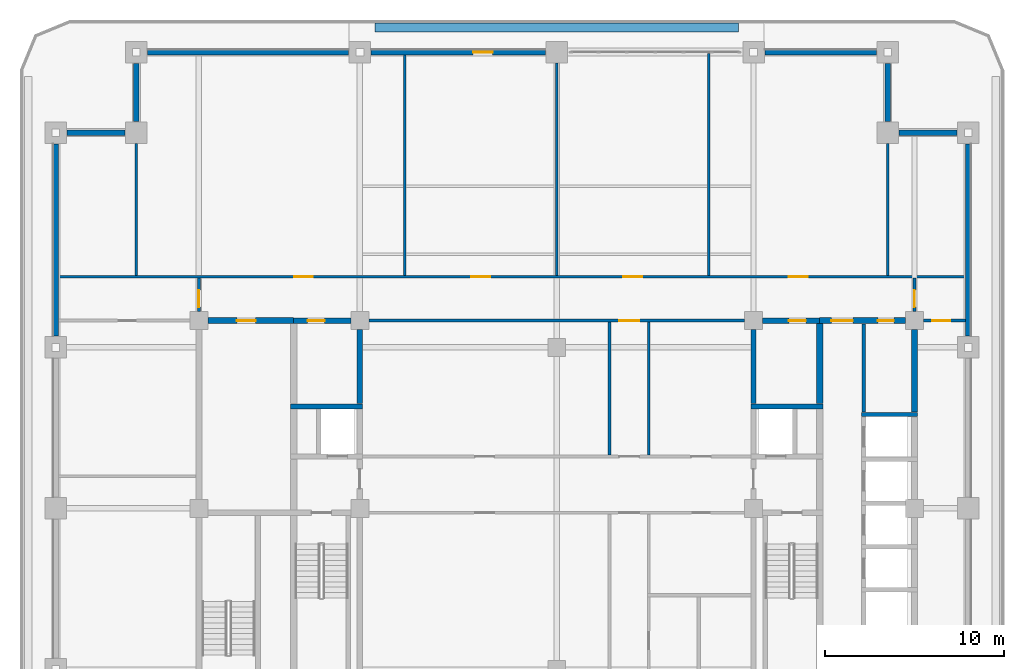
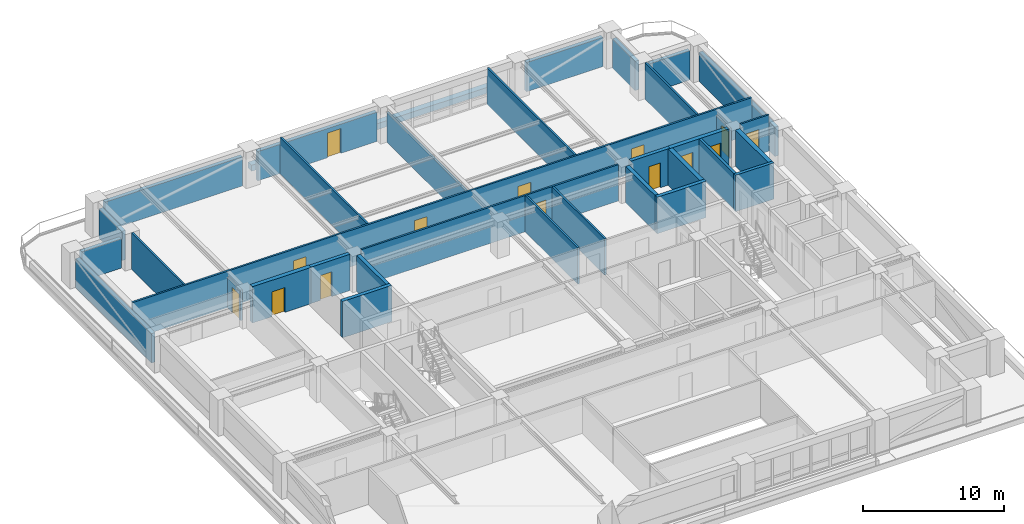
# One storey, part 10 of 17: 34 walls, 14 doors, 14 openings.
"""IFC4 building model written with IfcOpenShell, lengths in metres."""

import ifcopenshell
import ifcopenshell.guid

model = None  # the IFC model being written
_history = None  # IfcOwnerHistory: only IFC2X3 demands one
_inside = {}  # id of a spatial element -> (the spatial element, [elements in it])
_under = {}  # id of a project, library or spatial element -> (it, [spatial elements below it])
_declared = {}  # id of a project -> (the project, [libraries it declares])
_typed = {}  # id of a type object -> (the type object, [elements of that type])
_made_of = {}  # id of a material, layer set ... -> (it, [elements and type objects made of it])


def new_model(schema):
    """Start an empty IFC model of exactly this schema.

    Asked for "IFC4X3", IfcOpenShell would pick the latest addendum, in which some entities
    have other attributes; the version numbers below select the first issue.
    IFC2X3 requires an IfcOwnerHistory on every rooted entity: one is made here for all.
    """
    global model, _history
    if schema == "IFC4X3":
        model = ifcopenshell.file(schema_version=(4, 3, 0, 0))
    else:
        model = ifcopenshell.file(schema=schema)
    _inside.clear()
    _under.clear()
    _declared.clear()
    _typed.clear()
    _made_of.clear()
    _history = None
    if model.schema == "IFC2X3":
        org = make("IfcOrganization", Name="unknown")
        user = make(
            "IfcPersonAndOrganization",
            ThePerson=make("IfcPerson", FamilyName="unknown"),
            TheOrganization=org,
        )
        app = make(
            "IfcApplication",
            ApplicationDeveloper=org,
            Version="unknown",
            ApplicationFullName="unknown",
            ApplicationIdentifier="unknown",
        )
        _history = make(
            "IfcOwnerHistory",
            OwningUser=user,
            OwningApplication=app,
            ChangeAction="ADDED",
            CreationDate=0,
        )
    return model


def make(cls, **values):
    """One entity of the class cls with the attributes given. An attribute that is None is left unset."""
    return model.create_entity(
        cls, **{name: value for name, value in values.items() if value is not None}
    )


def rooted(cls, **values):
    """An entity with a GlobalId (a new one), such as an element, a storey or a relation."""
    return make(cls, GlobalId=ifcopenshell.guid.new(), OwnerHistory=_history, **values)


def si_unit(unit_type, name, prefix=None):
    """IfcSIUnit, for example si_unit("LENGTHUNIT", "METRE", prefix="MILLI")."""
    return make("IfcSIUnit", UnitType=unit_type, Prefix=prefix, Name=name)


def assignment(units):
    """IfcUnitAssignment: the units of a project."""
    return None if units is None else make("IfcUnitAssignment", Units=units)


def point(xyz):
    """IfcCartesianPoint."""
    return None if xyz is None else make("IfcCartesianPoint", Coordinates=xyz)


def direction(xyz):
    """IfcDirection."""
    return None if xyz is None else make("IfcDirection", DirectionRatios=xyz)


def frame(location, z_axis=None, x_axis=None):
    """IfcAxis2Placement3D, a coordinate frame: its origin and axes. An axis left out is left unset."""
    return make(
        "IfcAxis2Placement3D",
        Location=point(location),
        Axis=direction(z_axis),
        RefDirection=direction(x_axis),
    )


def frame_2d(location, x_axis=None):
    """IfcAxis2Placement2D, a coordinate frame in the plane: its origin and x axis."""
    return make(
        "IfcAxis2Placement2D", Location=point(location), RefDirection=direction(x_axis)
    )


def origin():
    """The frame at (0, 0, 0) with its axes left unset."""
    return frame((0.0, 0.0, 0.0))


def place(relative_to, where):
    """IfcLocalPlacement: puts the frame where relative to a parent placement (None: the world)."""
    return make(
        "IfcLocalPlacement", PlacementRelTo=relative_to, RelativePlacement=where
    )


def context(
    kind, dimensions, precision=None, world=None, true_north=None, identifier=None
):
    """IfcGeometricRepresentationContext, for example the 3D "Model" context."""
    return make(
        "IfcGeometricRepresentationContext",
        ContextIdentifier=identifier,
        ContextType=kind,
        CoordinateSpaceDimension=dimensions,
        Precision=precision,
        WorldCoordinateSystem=world,
        TrueNorth=true_north,
    )


def subcontext(parent, identifier, kind, view, scale=None):
    """IfcGeometricRepresentationSubContext, for example "Body" below "Model"."""
    return make(
        "IfcGeometricRepresentationSubContext",
        ContextIdentifier=identifier,
        ContextType=kind,
        ParentContext=parent,
        TargetScale=scale,
        TargetView=view,
    )


def project(units=None, contexts=None):
    """IfcProject with its units and contexts."""
    return rooted(
        "IfcProject",
        Name="project",
        RepresentationContexts=contexts,
        UnitsInContext=assignment(units),
    )


def spatial(cls, under=None, at=None, **own):
    """A site, building, storey or space (cls), placed at a placement, below another one or the project."""
    s = rooted(cls, ObjectPlacement=at, **own)
    if under is not None:
        _under.setdefault(under.id(), (under, []))[1].append(s)
    return s


def profile(cls, at=None, kind="AREA", **sizes):
    """A parametric profile (cls). Its sizes go by their IFC names, for example OverallWidth=200.0."""
    return make(cls, ProfileType=kind, Position=at, **sizes)


def rectangle(**sizes):
    """IfcRectangleProfileDef."""
    return profile("IfcRectangleProfileDef", **sizes)


def extrude(swept, where, along, depth):
    """IfcExtrudedAreaSolid: the profile swept, set in the frame where, extruded along a direction by depth."""
    return make(
        "IfcExtrudedAreaSolid",
        SweptArea=swept,
        Position=where,
        ExtrudedDirection=direction(along),
        Depth=depth,
    )


def shape(context_of_items, identifier, shape_type, items):
    """IfcShapeRepresentation: the items that make up one representation, for example the "Body"."""
    return make(
        "IfcShapeRepresentation",
        ContextOfItems=context_of_items,
        RepresentationIdentifier=identifier,
        RepresentationType=shape_type,
        Items=items,
    )


def material(Name=None, Category=None):
    """IfcMaterial."""
    return make("IfcMaterial", Name=Name, Category=Category)


def layer(
    of_material, thickness, ventilated=None, Name=None, Category=None, Priority=None
):
    """IfcMaterialLayer: one layer of a wall or slab, of a material (None: an air gap)."""
    return make(
        "IfcMaterialLayer",
        Material=of_material,
        LayerThickness=thickness,
        IsVentilated=ventilated,
        Name=Name,
        Category=Category,
        Priority=Priority,
    )


def layer_set(layers, Name=None):
    """IfcMaterialLayerSet."""
    return make("IfcMaterialLayerSet", MaterialLayers=layers, LayerSetName=Name)


def made_of(thing, what):
    """Note that an element or type object is made of a material, layer set ...; save() writes the relation."""
    if what is not None:
        _made_of.setdefault(what.id(), (what, []))[1].append(thing)
    return thing


def type_object(cls, material=None, **own):
    """A type object (cls), such as IfcWallType, which elements share."""
    return made_of(rooted(cls, **own), material)


def element(
    cls,
    number,
    at=None,
    inside=None,
    cuts=None,
    type_object=None,
    material=None,
    context=None,
    identifier="Body",
    shape_type=None,
    held_by="IfcProductDefinitionShape",
    body=None,
    shapes=None,
    **own,
):
    """One element of the class cls, such as IfcWall. Its Tag is "e" and its number.

    at: its placement. inside: the storey or other place that contains it. cuts: it is an
    opening in that element (IfcRelVoidsElement). A single representation is given by context,
    identifier, shape_type and body (its items); several are given by shapes. held_by: the class
    of the entity that holds the representations. save() writes the other relations.
    """
    e = rooted(cls, Tag="e%d" % number, ObjectPlacement=at, **own)
    if body is not None:
        shapes = [shape(context, identifier, shape_type, body)]
    if shapes is not None:
        e.Representation = make(held_by, Representations=shapes)
    if inside is not None:
        _inside.setdefault(inside.id(), (inside, []))[1].append(e)
    if cuts is not None:
        rooted(
            "IfcRelVoidsElement", RelatingBuildingElement=cuts, RelatedOpeningElement=e
        )
    if type_object is not None:
        _typed.setdefault(type_object.id(), (type_object, []))[1].append(e)
    return made_of(e, material)


def fill(opening, filler):
    """IfcRelFillsElement: the door or window that sits in an opening."""
    return rooted(
        "IfcRelFillsElement",
        RelatingOpeningElement=opening,
        RelatedBuildingElement=filler,
    )


def aggregate(whole, parts):
    """IfcRelAggregates: a whole, such as a stair, and the parts it consists of."""
    return rooted("IfcRelAggregates", RelatingObject=whole, RelatedObjects=parts)


def save(model, path):
    """Write the relations noted so far, then the file.

    IfcRelAggregates (storeys below a building ...), IfcRelContainedInSpatialStructure (elements
    in a storey), IfcRelDefinesByType, IfcRelAssociatesMaterial and IfcRelDeclares: one each for
    every whole, place, type object, material and project.
    """
    for whole, parts in _under.values():
        aggregate(whole, parts)
    for where, things in _inside.values():
        rooted(
            "IfcRelContainedInSpatialStructure",
            RelatedElements=things,
            RelatingStructure=where,
        )
    for kind, things in _typed.values():
        rooted("IfcRelDefinesByType", RelatedObjects=things, RelatingType=kind)
    for what, things in _made_of.values():
        rooted("IfcRelAssociatesMaterial", RelatedObjects=things, RelatingMaterial=what)
    for by, libraries in _declared.values():
        rooted("IfcRelDeclares", RelatingContext=by, RelatedDefinitions=libraries)
    model.write(path)


model = new_model("IFC4")

# Units and contexts
model_context = context("Model", 3, precision=1e-05, world=origin(), true_north=direction((0.0, 1.0)))
body_context = subcontext(model_context, "Body", "Model", "MODEL_VIEW")
ifc_project = project(units=[si_unit("LENGTHUNIT", "METRE"), si_unit("AREAUNIT", "SQUARE_METRE"), si_unit("VOLUMEUNIT", "CUBIC_METRE"), si_unit("PLANEANGLEUNIT", "RADIAN"), si_unit("MASSUNIT", "GRAM", prefix="KILO")], contexts=[model_context])

# Site, building, storey
site_placement = place(None, origin())
site = spatial("IfcSite", under=ifc_project, at=site_placement, CompositionType="ELEMENT")
building_placement = place(site_placement, origin())
building = spatial("IfcBuilding", under=site, at=building_placement, Name="Zulmaris Gate Convention Tower", CompositionType="ELEMENT")
storey_placement = place(building_placement, frame((0.0, 0.0, 149.909912109375)))
storey = spatial("IfcBuildingStorey", under=building, at=storey_placement, Name="L38", CompositionType="ELEMENT", Elevation=149.909912109375)

# Walls
ifc_material_1 = material(Name="Concrete C50/60", Category="concrete")
ifc_layer_1 = layer(ifc_material_1, 0.25, Name="Concrete C50/60")
ifc_layer_set_1 = layer_set([ifc_layer_1], Name="Concrete C50/60")
wall_type_1 = type_object("IfcWallType", Name="CORE-250", PredefinedType="SOLIDWALL", material=ifc_layer_set_1)
wall_1_placement = place(storey_placement, frame((17.02490234375, 5.25, 0.0), z_axis=(0.0, 0.0, 1.0), x_axis=(1.0, 0.0, 0.0)))
element("IfcWall", 1, at=wall_1_placement, inside=storey, type_object=wall_type_1, Name="WL-L38-014", PredefinedType="SOLIDWALL", context=body_context, shape_type="SweptSolid", body=[
    extrude(rectangle(XDim=3.150146484375, YDim=0.25, at=frame_2d((1.5751953125, 0.0))), origin(), (0.0, 0.0, 1.0), 3.14501953125),
])
ifc_layer_2 = layer(ifc_material_1, 0.300048828125, Name="Concrete C50/60")
ifc_layer_set_2 = layer_set([ifc_layer_2], Name="Concrete C50/60")
wall_type_2 = type_object("IfcWallType", Name="CORE-300", PredefinedType="SHEAR", material=ifc_layer_set_2)
for number, where, z_axis, x_axis, name in (
    (2, (-14.875, 5.699951171875, 0.0), (0.0, 0.0, 1.0), (1.0, 0.0, 0.0), "WL-L38-015"),
    (3, (10.85009765625, 5.699951171875, 0.0), (0.0, 0.0, 1.0), (1.0, 0.0, 0.0), "WL-L38-016"),
):
    element("IfcWall", number, at=place(storey_placement, frame(where, z_axis=z_axis, x_axis=x_axis)), inside=storey, type_object=wall_type_2, Name=name, PredefinedType="SHEAR", context=body_context, shape_type="SweptSolid", body=[
        extrude(rectangle(XDim=4.02490234375, YDim=0.300048828125, at=frame_2d((2.012451171875, 0.0))), origin(), (0.0, 0.0, 1.0), 3.14501953125),
    ])

# Wall, opening, door
wall_2_placement = place(storey_placement, frame((-14.699951171875, 10.5, 0.0), z_axis=(0.0, 0.0, 1.0), x_axis=(1.0, 0.0, 0.0)))
wall_2 = element("IfcWall", 4, at=wall_2_placement, inside=storey, type_object=wall_type_2, Name="WL-L38-018", PredefinedType="SHEAR", context=body_context, shape_type="SweptSolid", body=[
    extrude(rectangle(XDim=3.196044921875, YDim=0.300048828125, at=frame_2d((1.59814453125, 0.0))), origin(), (0.0, 0.0, 1.0), 3.14501953125),
])
opening_1_placement = place(wall_2_placement, frame((0.77490234375, 0.0, 0.0)))
opening_1 = element("IfcOpeningElement", 5, at=opening_1_placement, cuts=wall_2, Name="Opening D-11", PredefinedType="OPENING", context=body_context, shape_type="SweptSolid", body=[
    extrude(rectangle(XDim=0.949951171875, YDim=2.14990234375, at=frame_2d((0.47509765625, 1.074951171875))), frame((0.0, 0.16015625, 0.0), z_axis=(0.0, -1.0, 0.0), x_axis=(1.0, 0.0, 0.0)), (0.0, 0.0, 1.0), 0.320068359375),
])
ifc_material_2 = material(Name="Fire-Rated Timber", Category="wood")
door_type_1 = type_object("IfcDoorType", Name="DR-950-FD", OperationType="NOTDEFINED", PredefinedType="DOOR", material=ifc_material_2)
door_1_placement = place(opening_1_placement, origin())
door_1 = element("IfcDoor", 6, at=door_1_placement, inside=storey, type_object=door_type_1, Name="L38 Core Pantry Door 07", OperationType="SINGLE_SWING_LEFT", OverallHeight=2.14990234375, OverallWidth=0.949951171875, PredefinedType="DOOR", context=body_context, shape_type="SweptSolid", body=[
    extrude(rectangle(XDim=0.949951171875, YDim=2.14990234375, at=frame_2d((0.47509765625, 1.074951171875))), frame((0.0, 0.02490234375, 0.0), z_axis=(0.0, -1.0, 0.0), x_axis=(1.0, 0.0, 0.0)), (0.0, 0.0, 1.0), 0.050048828125),
])
fill(opening_1, door_1)

wall_3_placement = place(storey_placement, frame((11.50390625, 10.5, 0.0), z_axis=(0.0, 0.0, 1.0), x_axis=(1.0, 0.0, 0.0)))
wall_3 = element("IfcWall", 7, at=wall_3_placement, inside=storey, type_object=wall_type_2, Name="WL-L38-019", PredefinedType="SHEAR", context=body_context, shape_type="SweptSolid", body=[
    extrude(rectangle(XDim=3.196044921875, YDim=0.300048828125, at=frame_2d((1.59814453125, 0.0))), origin(), (0.0, 0.0, 1.0), 3.14501953125),
])
opening_2_placement = place(wall_3_placement, frame((1.470947265625, 0.0, 0.0)))
opening_2 = element("IfcOpeningElement", 8, at=opening_2_placement, cuts=wall_3, Name="Opening D-11", PredefinedType="OPENING", context=body_context, shape_type="SweptSolid", body=[
    extrude(rectangle(XDim=0.949951171875, YDim=2.14990234375, at=frame_2d((0.47509765625, 1.074951171875))), frame((0.0, 0.16015625, 0.0), z_axis=(0.0, -1.0, 0.0), x_axis=(1.0, 0.0, 0.0)), (0.0, 0.0, 1.0), 0.320068359375),
])
door_2_placement = place(opening_2_placement, origin())
door_2 = element("IfcDoor", 9, at=door_2_placement, inside=storey, type_object=door_type_1, Name="L38 Core Cleaners Store Door 08", OperationType="SINGLE_SWING_RIGHT", OverallHeight=2.14990234375, OverallWidth=0.949951171875, PredefinedType="DOOR", context=body_context, shape_type="SweptSolid", body=[
    extrude(rectangle(XDim=0.949951171875, YDim=2.14990234375, at=frame_2d((0.47509765625, 1.074951171875))), frame((0.0, 0.02490234375, 0.0), z_axis=(0.0, -1.0, 0.0), x_axis=(1.0, 0.0, 0.0)), (0.0, 0.0, 1.0), 0.050048828125),
])
fill(opening_2, door_2)

# Walls
for number, where, z_axis, x_axis, name in (
    (10, (-11.0, 5.85205078125, 0.0), (0.0, 0.0, 1.0), (0.0, 1.0, 0.0), "WL-L38-047"),
    (11, (11.0, 5.85205078125, 0.0), (0.0, 0.0, 1.0), (0.0, 1.0, 0.0), "WL-L38-051"),
):
    element("IfcWall", number, at=place(storey_placement, frame(where, z_axis=z_axis, x_axis=x_axis)), inside=storey, type_object=wall_type_2, Name=name, PredefinedType="SHEAR", context=body_context, shape_type="SweptSolid", body=[
        extrude(rectangle(XDim=4.14404296875, YDim=0.300048828125, at=frame_2d((2.072021484375, 0.0))), origin(), (0.0, 0.0, 1.0), 3.14501953125),
    ])

# Wall, opening, door
ifc_material_3 = material(Name="Concrete C55/67", Category="concrete")
ifc_layer_3 = layer(ifc_material_3, 0.35009765625, Name="Concrete C55/67")
ifc_layer_set_3 = layer_set([ifc_layer_3], Name="Concrete C55/67")
wall_type_3 = type_object("IfcWallType", Name="CORE-350", PredefinedType="SHEAR", material=ifc_layer_set_3)
wall_4_placement = place(storey_placement, frame((-19.49609375, 10.5, 0.0), z_axis=(0.0, 0.0, 1.0), x_axis=(1.0, 0.0, 0.0)))
wall_4 = element("IfcWall", 12, at=wall_4_placement, inside=storey, type_object=wall_type_3, Name="WL-L38-017", PredefinedType="SHEAR", context=body_context, shape_type="SweptSolid", body=[
    extrude(rectangle(XDim=4.796142578125, YDim=0.35009765625, at=frame_2d((2.39794921875, 0.0))), origin(), (0.0, 0.0, 1.0), 3.14501953125),
])
opening_3_placement = place(wall_4_placement, frame((1.62109375, 0.0, 0.0)))
opening_3 = element("IfcOpeningElement", 13, at=opening_3_placement, cuts=wall_4, Name="Opening D-09", PredefinedType="OPENING", context=body_context, shape_type="SweptSolid", body=[
    extrude(rectangle(XDim=1.050048828125, YDim=2.14990234375, at=frame_2d((0.52490234375, 1.074951171875))), frame((0.0, 0.18505859375, 0.0), z_axis=(0.0, -1.0, 0.0), x_axis=(1.0, 0.0, 0.0)), (0.0, 0.0, 1.0), 0.3701171875),
])
ifc_material_4 = material(Name="Fire-Rated Steel", Category="steel")
door_type_2 = type_object("IfcDoorType", Name="DR-1050-FD", OperationType="NOTDEFINED", PredefinedType="DOOR", material=ifc_material_4)
door_3_placement = place(opening_3_placement, origin())
door_3 = element("IfcDoor", 14, at=door_3_placement, inside=storey, type_object=door_type_2, Name="L38 Reclaimed Archive Door 10", OperationType="SINGLE_SWING_RIGHT", OverallHeight=2.14990234375, OverallWidth=1.050048828125, PredefinedType="DOOR", context=body_context, shape_type="SweptSolid", body=[
    extrude(rectangle(XDim=1.050048828125, YDim=2.14990234375, at=frame_2d((0.52490234375, 1.074951171875))), frame((0.0, 0.02490234375, 0.0), z_axis=(0.0, -1.0, 0.0), x_axis=(1.0, 0.0, 0.0)), (0.0, 0.0, 1.0), 0.050048828125),
])
fill(opening_3, door_3)

# Wall, openings, doors
wall_5_placement = place(storey_placement, frame((14.699951171875, 10.5, 0.0), z_axis=(0.0, 0.0, 1.0), x_axis=(1.0, 0.0, 0.0)))
wall_5 = element("IfcWall", 15, at=wall_5_placement, inside=storey, type_object=wall_type_3, Name="WL-L38-020", PredefinedType="SHEAR", context=body_context, shape_type="SweptSolid", body=[
    extrude(rectangle(XDim=4.796142578125, YDim=0.35009765625, at=frame_2d((2.39794921875, 0.0))), origin(), (0.0, 0.0, 1.0), 3.14501953125),
])
opening_4_placement = place(wall_5_placement, frame((0.64990234375, 0.0, 0.0)))
opening_4 = element("IfcOpeningElement", 16, at=opening_4_placement, cuts=wall_5, Name="Opening D-13", PredefinedType="OPENING", context=body_context, shape_type="SweptSolid", body=[
    extrude(rectangle(XDim=1.199951171875, YDim=2.14990234375, at=frame_2d((0.60009765625, 1.074951171875))), frame((0.0, 0.18505859375, 0.0), z_axis=(0.0, -1.0, 0.0), x_axis=(1.0, 0.0, 0.0)), (0.0, 0.0, 1.0), 0.3701171875),
])
opening_5_placement = place(wall_5_placement, frame((3.25, 0.0, 0.0)))
opening_5 = element("IfcOpeningElement", 17, at=opening_5_placement, cuts=wall_5, Name="Opening D-12", PredefinedType="OPENING", context=body_context, shape_type="SweptSolid", body=[
    extrude(rectangle(XDim=0.89990234375, YDim=2.14990234375, at=frame_2d((0.449951171875, 1.074951171875))), frame((0.0, 0.18505859375, 0.0), z_axis=(0.0, -1.0, 0.0), x_axis=(1.0, 0.0, 0.0)), (0.0, 0.0, 1.0), 0.3701171875),
])
door_type_3 = type_object("IfcDoorType", Name="DR-1200-FD", OperationType="NOTDEFINED", PredefinedType="DOOR", material=ifc_material_4)
door_4_placement = place(opening_4_placement, origin())
door_4 = element("IfcDoor", 18, at=door_4_placement, inside=storey, type_object=door_type_3, Name="L38 East Lift Lobby North Door 16", OperationType="SINGLE_SWING_RIGHT", OverallHeight=2.14990234375, OverallWidth=1.199951171875, PredefinedType="DOOR", context=body_context, shape_type="SweptSolid", body=[
    extrude(rectangle(XDim=1.199951171875, YDim=2.14990234375, at=frame_2d((0.60009765625, 1.074951171875))), frame((0.0, 0.02490234375, 0.0), z_axis=(0.0, -1.0, 0.0), x_axis=(1.0, 0.0, 0.0)), (0.0, 0.0, 1.0), 0.050048828125),
])
fill(opening_4, door_4)
door_type_4 = type_object("IfcDoorType", Name="DR-900-FD", OperationType="NOTDEFINED", PredefinedType="DOOR", material=ifc_material_2)
door_5_placement = place(opening_5_placement, origin())
door_5 = element("IfcDoor", 19, at=door_5_placement, inside=storey, type_object=door_type_4, Name="L38 Mid-Rise Archive Door 17", OperationType="SINGLE_SWING_LEFT", OverallHeight=2.14990234375, OverallWidth=0.89990234375, PredefinedType="DOOR", context=body_context, shape_type="SweptSolid", body=[
    extrude(rectangle(XDim=0.89990234375, YDim=2.14990234375, at=frame_2d((0.449951171875, 1.074951171875))), frame((0.0, 0.02490234375, 0.0), z_axis=(0.0, -1.0, 0.0), x_axis=(1.0, 0.0, 0.0)), (0.0, 0.0, 1.0), 0.050048828125),
])
fill(opening_5, door_5)

# Walls
wall_6_placement = place(storey_placement, frame((14.699951171875, 5.85205078125, 0.0), z_axis=(0.0, 0.0, 1.0), x_axis=(0.0, 1.0, 0.0)))
element("IfcWall", 20, at=wall_6_placement, inside=storey, type_object=wall_type_3, Name="WL-L38-057", PredefinedType="SHEAR", context=body_context, shape_type="SweptSolid", body=[
    extrude(rectangle(XDim=4.470947265625, YDim=0.35009765625, at=frame_2d((2.2353515625, 0.0))), origin(), (0.0, 0.0, 1.0), 3.14501953125),
])
wall_7_placement = place(storey_placement, frame((20.0, 5.376953125, 0.0), z_axis=(0.0, 0.0, 1.0), x_axis=(0.0, 1.0, 0.0)))
element("IfcWall", 21, at=wall_7_placement, inside=storey, type_object=wall_type_3, Name="WL-L38-069", PredefinedType="SHEAR", context=body_context, shape_type="SweptSolid", body=[
    extrude(rectangle(XDim=4.619140625, YDim=0.35009765625, at=frame_2d((2.3095703125, 0.0))), origin(), (0.0, 0.0, 1.0), 3.14501953125),
])

# Wall, opening, door
ifc_material_5 = material(Name="Gypsum Metal Stud Partition")
ifc_layer_4 = layer(ifc_material_5, 0.14990234375, Name="Gypsum Metal Stud Partition")
ifc_layer_set_4 = layer_set([ifc_layer_4], Name="Gypsum Metal Stud Partition")
wall_type_4 = type_object("IfcWallType", Name="PART-150", PredefinedType="PARTITIONING", material=ifc_layer_set_4)
wall_8_placement = place(storey_placement, frame((-10.493896484375, 10.5, 0.0), z_axis=(0.0, 0.0, 1.0), x_axis=(1.0, 0.0, 0.0)))
wall_8 = element("IfcWall", 22, at=wall_8_placement, inside=storey, type_object=wall_type_4, Name="WL-L38-032", PredefinedType="PARTITIONING", context=body_context, shape_type="SweptSolid", body=[
    extrude(rectangle(XDim=20.98779296875, YDim=0.14990234375, at=frame_2d((10.493896484375, 0.0))), origin(), (0.0, 0.0, 1.0), 3.14501953125),
])
opening_6_placement = place(wall_8_placement, frame((13.993896484375, 0.0, 0.0)))
opening_6 = element("IfcOpeningElement", 23, at=opening_6_placement, cuts=wall_8, Name="Opening D-08", PredefinedType="OPENING", context=body_context, shape_type="SweptSolid", body=[
    extrude(rectangle(XDim=1.10009765625, YDim=2.14990234375, at=frame_2d((0.550048828125, 1.074951171875))), frame((0.0, 0.0849609375, 0.0), z_axis=(0.0, -1.0, 0.0), x_axis=(1.0, 0.0, 0.0)), (0.0, 0.0, 1.0), 0.169921875),
])
door_type_5 = type_object("IfcDoorType", Name="DR-1100-FD", OperationType="NOTDEFINED", PredefinedType="DOOR", material=ifc_material_4)
door_6_placement = place(opening_6_placement, origin())
door_6 = element("IfcDoor", 24, at=door_6_placement, inside=storey, type_object=door_type_5, Name="L38 North Gallery Link Door 18", OperationType="SINGLE_SWING_RIGHT", OverallHeight=2.14990234375, OverallWidth=1.10009765625, PredefinedType="DOOR", context=body_context, shape_type="SweptSolid", body=[
    extrude(rectangle(XDim=1.10009765625, YDim=2.14990234375, at=frame_2d((0.550048828125, 1.074951171875))), frame((0.0, 0.02490234375, 0.0), z_axis=(0.0, -1.0, 0.0), x_axis=(1.0, 0.0, 0.0)), (0.0, 0.0, 1.0), 0.050048828125),
])
fill(opening_6, door_6)

wall_9_placement = place(storey_placement, frame((20.506103515625, 10.5, 0.0), z_axis=(0.0, 0.0, 1.0), x_axis=(1.0, 0.0, 0.0)))
wall_9 = element("IfcWall", 25, at=wall_9_placement, inside=storey, type_object=wall_type_4, Name="WL-L38-033", PredefinedType="PARTITIONING", context=body_context, shape_type="SweptSolid", body=[
    extrude(rectangle(XDim=2.328857421875, YDim=0.14990234375, at=frame_2d((1.16455078125, 0.0))), origin(), (0.0, 0.0, 1.0), 3.14501953125),
])
opening_7_placement = place(wall_9_placement, frame((0.493896484375, 0.0, 0.0)))
opening_7 = element("IfcOpeningElement", 26, at=opening_7_placement, cuts=wall_9, Name="Opening D-10", PredefinedType="OPENING", context=body_context, shape_type="SweptSolid", body=[
    extrude(rectangle(XDim=1.0, YDim=2.14990234375, at=frame_2d((0.5, 1.074951171875))), frame((0.0, 0.0849609375, 0.0), z_axis=(0.0, -1.0, 0.0), x_axis=(1.0, 0.0, 0.0)), (0.0, 0.0, 1.0), 0.169921875),
])
door_type_6 = type_object("IfcDoorType", Name="DR-1000-FD", OperationType="NOTDEFINED", PredefinedType="DOOR", material=ifc_material_2)
door_7_placement = place(opening_7_placement, origin())
door_7 = element("IfcDoor", 27, at=door_7_placement, inside=storey, type_object=door_type_6, Name="L38 East Workplace North Door 43", OperationType="SINGLE_SWING_LEFT", OverallHeight=2.14990234375, OverallWidth=1.0, PredefinedType="DOOR", context=body_context, shape_type="SweptSolid", body=[
    extrude(rectangle(XDim=1.0, YDim=2.14990234375, at=frame_2d((0.5, 1.074951171875))), frame((0.0, 0.02490234375, 0.0), z_axis=(0.0, -1.0, 0.0), x_axis=(1.0, 0.0, 0.0)), (0.0, 0.0, 1.0), 0.050048828125),
])
fill(opening_7, door_7)

# Wall, openings, doors
wall_10_placement = place(storey_placement, frame((-27.8349609375, 12.949951171875, 0.0), z_axis=(0.0, 0.0, 1.0), x_axis=(1.0, 0.0, 0.0)))
wall_10 = element("IfcWall", 28, at=wall_10_placement, inside=storey, type_object=wall_type_4, Name="WL-L38-034", PredefinedType="PARTITIONING", context=body_context, shape_type="SweptSolid", body=[
    extrude(rectangle(XDim=50.669921875, YDim=0.14990234375, at=frame_2d((25.3349609375, 0.0))), origin(), (0.0, 0.0, 1.0), 3.14501953125),
])
opening_8_placement = place(wall_10_placement, frame((13.159912109375, 0.0, 0.0)))
opening_8 = element("IfcOpeningElement", 29, at=opening_8_placement, cuts=wall_10, Name="Opening D-09", PredefinedType="OPENING", context=body_context, shape_type="SweptSolid", body=[
    extrude(rectangle(XDim=1.050048828125, YDim=2.14990234375, at=frame_2d((0.52490234375, 1.074951171875))), frame((0.0, 0.0849609375, 0.0), z_axis=(0.0, -1.0, 0.0), x_axis=(1.0, 0.0, 0.0)), (0.0, 0.0, 1.0), 0.169921875),
])
opening_9_placement = place(wall_10_placement, frame((23.06005859375, 0.0, 0.0)))
opening_9 = element("IfcOpeningElement", 30, at=opening_9_placement, cuts=wall_10, Name="Opening D-09", PredefinedType="OPENING", context=body_context, shape_type="SweptSolid", body=[
    extrude(rectangle(XDim=1.050048828125, YDim=2.14990234375, at=frame_2d((0.52490234375, 1.074951171875))), frame((0.0, 0.0849609375, 0.0), z_axis=(0.0, -1.0, 0.0), x_axis=(1.0, 0.0, 0.0)), (0.0, 0.0, 1.0), 0.169921875),
])
opening_10_placement = place(wall_10_placement, frame((31.56005859375, 0.0, 0.0)))
opening_10 = element("IfcOpeningElement", 31, at=opening_10_placement, cuts=wall_10, Name="Opening D-09", PredefinedType="OPENING", context=body_context, shape_type="SweptSolid", body=[
    extrude(rectangle(XDim=1.050048828125, YDim=2.14990234375, at=frame_2d((0.52490234375, 1.074951171875))), frame((0.0, 0.0849609375, 0.0), z_axis=(0.0, -1.0, 0.0), x_axis=(1.0, 0.0, 0.0)), (0.0, 0.0, 1.0), 0.169921875),
])
opening_11_placement = place(wall_10_placement, frame((40.81005859375, 0.0, 0.0)))
opening_11 = element("IfcOpeningElement", 32, at=opening_11_placement, cuts=wall_10, Name="Opening D-09", PredefinedType="OPENING", context=body_context, shape_type="SweptSolid", body=[
    extrude(rectangle(XDim=1.050048828125, YDim=2.14990234375, at=frame_2d((0.52490234375, 1.074951171875))), frame((0.0, 0.0849609375, 0.0), z_axis=(0.0, -1.0, 0.0), x_axis=(1.0, 0.0, 0.0)), (0.0, 0.0, 1.0), 0.169921875),
])
door_8_placement = place(opening_8_placement, origin())
door_8 = element("IfcDoor", 33, at=door_8_placement, inside=storey, type_object=door_type_2, Name="L38 Partner Corner Office Door 22", OperationType="SINGLE_SWING_RIGHT", OverallHeight=2.14990234375, OverallWidth=1.050048828125, PredefinedType="DOOR", context=body_context, shape_type="SweptSolid", body=[
    extrude(rectangle(XDim=1.050048828125, YDim=2.14990234375, at=frame_2d((0.52490234375, 1.074951171875))), frame((0.0, 0.02490234375, 0.0), z_axis=(0.0, -1.0, 0.0), x_axis=(1.0, 0.0, 0.0)), (0.0, 0.0, 1.0), 0.050048828125),
])
fill(opening_8, door_8)
door_9_placement = place(opening_9_placement, origin())
door_9 = element("IfcDoor", 34, at=door_9_placement, inside=storey, type_object=door_type_2, Name="L38 Advisory Suite Office Door 23", OperationType="SINGLE_SWING_LEFT", OverallHeight=2.14990234375, OverallWidth=1.050048828125, PredefinedType="DOOR", context=body_context, shape_type="SweptSolid", body=[
    extrude(rectangle(XDim=1.050048828125, YDim=2.14990234375, at=frame_2d((0.52490234375, 1.074951171875))), frame((0.0, 0.02490234375, 0.0), z_axis=(0.0, -1.0, 0.0), x_axis=(1.0, 0.0, 0.0)), (0.0, 0.0, 1.0), 0.050048828125),
])
fill(opening_9, door_9)
door_10_placement = place(opening_10_placement, origin())
door_10 = element("IfcDoor", 35, at=door_10_placement, inside=storey, type_object=door_type_2, Name="L38 Open Plan Workplace Door 24", OperationType="SINGLE_SWING_RIGHT", OverallHeight=2.14990234375, OverallWidth=1.050048828125, PredefinedType="DOOR", context=body_context, shape_type="SweptSolid", body=[
    extrude(rectangle(XDim=1.050048828125, YDim=2.14990234375, at=frame_2d((0.52490234375, 1.074951171875))), frame((0.0, 0.02490234375, 0.0), z_axis=(0.0, -1.0, 0.0), x_axis=(1.0, 0.0, 0.0)), (0.0, 0.0, 1.0), 0.050048828125),
])
fill(opening_10, door_10)
door_11_placement = place(opening_11_placement, origin())
door_11 = element("IfcDoor", 36, at=door_11_placement, inside=storey, type_object=door_type_2, Name="L38 Executive Office Door 25", OperationType="SINGLE_SWING_LEFT", OverallHeight=2.14990234375, OverallWidth=1.050048828125, PredefinedType="DOOR", context=body_context, shape_type="SweptSolid", body=[
    extrude(rectangle(XDim=1.050048828125, YDim=2.14990234375, at=frame_2d((0.52490234375, 1.074951171875))), frame((0.0, 0.02490234375, 0.0), z_axis=(0.0, -1.0, 0.0), x_axis=(1.0, 0.0, 0.0)), (0.0, 0.0, 1.0), 0.050048828125),
])
fill(opening_11, door_11)

# Wall
wall_11_placement = place(storey_placement, frame((-23.5, 13.028076171875, 0.0), z_axis=(0.0, 0.0, 1.0), x_axis=(0.0, 1.0, 0.0)))
element("IfcWall", 37, at=wall_11_placement, inside=storey, type_object=wall_type_4, Name="WL-L38-071", PredefinedType="PARTITIONING", context=body_context, shape_type="SweptSolid", body=[
    extrude(rectangle(XDim=7.365966796875, YDim=0.14990234375, at=frame_2d((3.68310546875, 0.0))), origin(), (0.0, 0.0, 1.0), 3.14501953125),
])

# Wall, opening, door
wall_12_placement = place(storey_placement, frame((-20.0, 11.006103515625, 0.0), z_axis=(0.0, 0.0, 1.0), x_axis=(0.0, 1.0, 0.0)))
wall_12 = element("IfcWall", 38, at=wall_12_placement, inside=storey, type_object=wall_type_4, Name="WL-L38-073", PredefinedType="PARTITIONING", context=body_context, shape_type="SweptSolid", body=[
    extrude(rectangle(XDim=1.865966796875, YDim=0.14990234375, at=frame_2d((0.93310546875, 0.0))), origin(), (0.0, 0.0, 1.0), 2.635009765625),
])
opening_12_placement = place(wall_12_placement, frame((0.239013671875, 0.0, 0.0)))
opening_12 = element("IfcOpeningElement", 39, at=opening_12_placement, cuts=wall_12, Name="Opening D-11", PredefinedType="OPENING", context=body_context, shape_type="SweptSolid", body=[
    extrude(rectangle(XDim=0.949951171875, YDim=2.14990234375, at=frame_2d((0.47509765625, 1.074951171875))), frame((0.0, 0.0849609375, 0.0), z_axis=(0.0, -1.0, 0.0), x_axis=(1.0, 0.0, 0.0)), (0.0, 0.0, 1.0), 0.169921875),
])
door_12_placement = place(opening_12_placement, origin())
door_12 = element("IfcDoor", 40, at=door_12_placement, inside=storey, type_object=door_type_1, Name="L38 NW Spur Door 37", OperationType="SINGLE_SWING_LEFT", OverallHeight=2.14990234375, OverallWidth=0.949951171875, PredefinedType="DOOR", context=body_context, shape_type="SweptSolid", body=[
    extrude(rectangle(XDim=0.949951171875, YDim=2.14990234375, at=frame_2d((0.47509765625, 1.074951171875))), frame((0.0, 0.02490234375, 0.0), z_axis=(0.0, -1.0, 0.0), x_axis=(1.0, 0.0, 0.0)), (0.0, 0.0, 1.0), 0.050048828125),
])
fill(opening_12, door_12)

# Walls
wall_13_placement = place(storey_placement, frame((-8.5, 13.028076171875, 0.0), z_axis=(0.0, 0.0, 1.0), x_axis=(0.0, 1.0, 0.0)))
element("IfcWall", 41, at=wall_13_placement, inside=storey, type_object=wall_type_4, Name="WL-L38-074", PredefinedType="PARTITIONING", context=body_context, shape_type="SweptSolid", body=[
    extrude(rectangle(XDim=12.306884765625, YDim=0.14990234375, at=frame_2d((6.1533203125, 0.0))), origin(), (0.0, 0.0, 1.0), 3.14501953125),
])
wall_14_placement = place(storey_placement, frame((0.0, 13.028076171875, 0.0), z_axis=(0.0, 0.0, 1.0), x_axis=(0.0, 1.0, 0.0)))
element("IfcWall", 42, at=wall_14_placement, inside=storey, type_object=wall_type_4, Name="WL-L38-078", PredefinedType="PARTITIONING", context=body_context, shape_type="SweptSolid", body=[
    extrude(rectangle(XDim=11.865966796875, YDim=0.14990234375, at=frame_2d((5.93310546875, 0.0))), origin(), (0.0, 0.0, 1.0), 2.635009765625),
])
for number, where, z_axis, x_axis, name in (
    (43, (2.949951171875, 2.97802734375, 0.0), (0.0, 0.0, 1.0), (0.0, 1.0, 0.0), "WL-L38-080"),
    (44, (5.14990234375, 2.97802734375, 0.0), (0.0, 0.0, 1.0), (0.0, 1.0, 0.0), "WL-L38-083"),
):
    element("IfcWall", number, at=place(storey_placement, frame(where, z_axis=z_axis, x_axis=x_axis)), inside=storey, type_object=wall_type_4, Name=name, PredefinedType="PARTITIONING", context=body_context, shape_type="SweptSolid", body=[
        extrude(rectangle(XDim=7.444091796875, YDim=0.14990234375, at=frame_2d((3.72216796875, 0.0))), origin(), (0.0, 0.0, 1.0), 3.14501953125),
    ])
wall_15_placement = place(storey_placement, frame((8.5, 13.028076171875, 0.0), z_axis=(0.0, 0.0, 1.0), x_axis=(0.0, 1.0, 0.0)))
element("IfcWall", 45, at=wall_15_placement, inside=storey, type_object=wall_type_4, Name="WL-L38-088", PredefinedType="PARTITIONING", context=body_context, shape_type="SweptSolid", body=[
    extrude(rectangle(XDim=12.411865234375, YDim=0.14990234375, at=frame_2d((6.2060546875, 0.0))), origin(), (0.0, 0.0, 1.0), 3.14501953125),
])
wall_16_placement = place(storey_placement, frame((18.5, 13.028076171875, 0.0), z_axis=(0.0, 0.0, 1.0), x_axis=(0.0, 1.0, 0.0)))
element("IfcWall", 46, at=wall_16_placement, inside=storey, type_object=wall_type_4, Name="WL-L38-091", PredefinedType="PARTITIONING", context=body_context, shape_type="SweptSolid", body=[
    extrude(rectangle(XDim=7.365966796875, YDim=0.14990234375, at=frame_2d((3.68310546875, 0.0))), origin(), (0.0, 0.0, 1.0), 3.14501953125),
])

# Wall, opening, door
wall_17_placement = place(storey_placement, frame((20.0, 11.006103515625, 0.0), z_axis=(0.0, 0.0, 1.0), x_axis=(0.0, 1.0, 0.0)))
wall_17 = element("IfcWall", 47, at=wall_17_placement, inside=storey, type_object=wall_type_4, Name="WL-L38-093", PredefinedType="PARTITIONING", context=body_context, shape_type="SweptSolid", body=[
    extrude(rectangle(XDim=1.865966796875, YDim=0.14990234375, at=frame_2d((0.93310546875, 0.0))), origin(), (0.0, 0.0, 1.0), 2.635009765625),
])
opening_13_placement = place(wall_17_placement, frame((0.239013671875, 0.0, 0.0)))
opening_13 = element("IfcOpeningElement", 48, at=opening_13_placement, cuts=wall_17, Name="Opening D-11", PredefinedType="OPENING", context=body_context, shape_type="SweptSolid", body=[
    extrude(rectangle(XDim=0.949951171875, YDim=2.14990234375, at=frame_2d((0.47509765625, 1.074951171875))), frame((0.0, 0.0849609375, 0.0), z_axis=(0.0, -1.0, 0.0), x_axis=(1.0, 0.0, 0.0)), (0.0, 0.0, 1.0), 0.169921875),
])
door_13_placement = place(opening_13_placement, origin())
door_13 = element("IfcDoor", 49, at=door_13_placement, inside=storey, type_object=door_type_1, Name="L38 NE Spur Door 41", OperationType="SINGLE_SWING_LEFT", OverallHeight=2.14990234375, OverallWidth=0.949951171875, PredefinedType="DOOR", context=body_context, shape_type="SweptSolid", body=[
    extrude(rectangle(XDim=0.949951171875, YDim=2.14990234375, at=frame_2d((0.47509765625, 1.074951171875))), frame((0.0, 0.02490234375, 0.0), z_axis=(0.0, -1.0, 0.0), x_axis=(1.0, 0.0, 0.0)), (0.0, 0.0, 1.0), 0.050048828125),
])
fill(opening_13, door_13)

# Walls
ifc_material_6 = material(Name="Autoclaved Aerated Concrete Block and Plasterboard", Category="concrete")
ifc_layer_5 = layer(ifc_material_6, 0.199951171875, Name="Autoclaved Aerated Concrete Block and Plasterboard")
ifc_layer_set_5 = layer_set([ifc_layer_5], Name="Autoclaved Aerated Concrete Block and Plasterboard")
wall_type_5 = type_object("IfcWallType", Name="PART-200", PredefinedType="PARTITIONING", material=ifc_layer_set_5)
wall_18_placement = place(storey_placement, frame((17.14990234375, 5.3779296875, 0.0), z_axis=(0.0, 0.0, 1.0), x_axis=(0.0, 1.0, 0.0)))
element("IfcWall", 50, at=wall_18_placement, inside=storey, type_object=wall_type_5, Name="WL-L38-089", PredefinedType="PARTITIONING", context=body_context, shape_type="SweptSolid", body=[
    extrude(rectangle(XDim=4.944091796875, YDim=0.199951171875, at=frame_2d((2.47216796875, 0.0))), origin(), (0.0, 0.0, 1.0), 3.14501953125),
])
ifc_material_7 = material(Name="Botanical Green Glazed Precast Concrete C40/50", Category="concrete")
ifc_layer_6 = layer(ifc_material_7, 0.419921875, Name="Botanical Green Glazed Precast Concrete C40/50")
ifc_layer_set_6 = layer_set([ifc_layer_6], Name="Botanical Green Glazed Precast Concrete C40/50")
wall_type_6 = type_object("IfcWallType", Name="PLANTER-CURB-200", PredefinedType="PARAPET", material=ifc_layer_set_6)
wall_19_placement = place(storey_placement, frame((-10.14990234375, 26.8798828125, -0.0400390625), z_axis=(0.0, 0.0, 1.0), x_axis=(1.0, 0.0, 0.0)))
element("IfcWall", 51, at=wall_19_placement, inside=storey, type_object=wall_type_6, Name="L38 Full-Length Balcony Tree Planter Trough", PredefinedType="PARAPET", context=body_context, shape_type="SweptSolid", body=[
    extrude(rectangle(XDim=20.2998046875, YDim=0.47998046875, at=frame_2d((10.14990234375, 0.0))), origin(), (0.0, 0.0, 1.0), 0.52001953125),
])
ifc_material_8 = material(Name="Precast concrete C40/50", Category="concrete")
ifc_layer_7 = layer(ifc_material_8, 0.300048828125, Name="Precast concrete C40/50")
ifc_layer_set_7 = layer_set([ifc_layer_7], Name="Precast concrete C40/50")
wall_type_7 = type_object("IfcWallType", Name="PRECAST-PIER-300", PredefinedType="STANDARD", material=ifc_layer_set_7)
for number, where, z_axis, x_axis, name in (
    (52, (22.3701171875, 21.0, 0.0), (0.0, 0.0, 1.0), (-1.0, 0.0, 0.0), "EW-L38-NOTCH-NE1_0"),
    (53, (18.5, 21.6298828125, 0.0), (0.0, 0.0, 1.0), (0.0, 1.0, 0.0), "EW-L38-NOTCH-NE2_0"),
    (54, (-23.5, 24.8701171875, 0.0), (0.0, 0.0, 1.0), (0.0, -1.0, 0.0), "EW-L38-NOTCH-NW1_0"),
    (55, (-24.1298828125, 21.0, 0.0), (0.0, 0.0, 1.0), (-1.0, 0.0, 0.0), "EW-L38-NOTCH-NW2_0"),
):
    element("IfcWall", number, at=place(storey_placement, frame(where, z_axis=z_axis, x_axis=x_axis)), inside=storey, type_object=wall_type_7, Name=name, PredefinedType="STANDARD", context=body_context, shape_type="SweptSolid", body=[
        extrude(rectangle(XDim=3.240234375, YDim=0.300048828125, at=frame_2d((1.6201171875, 0.0))), origin(), (0.0, 0.0, 1.0), 2.537109375),
    ])
wall_20_placement = place(storey_placement, frame((-11.6298828125, 25.5, 0.0), z_axis=(0.0, 0.0, 1.0), x_axis=(-1.0, 0.0, 0.0)))
element("IfcWall", 56, at=wall_20_placement, inside=storey, type_object=wall_type_7, Name="EW-L38-N-0_0", PredefinedType="STANDARD", context=body_context, shape_type="SweptSolid", body=[
    extrude(rectangle(XDim=11.240234375, YDim=0.300048828125, at=frame_2d((5.6201171875, 0.0))), origin(), (0.0, 0.0, 1.0), 2.537109375),
])

# Wall, opening, door
wall_21_placement = place(storey_placement, frame((-0.6298828125, 25.5, 0.0), z_axis=(0.0, 0.0, 1.0), x_axis=(-1.0, 0.0, 0.0)))
wall_21 = element("IfcWall", 57, at=wall_21_placement, inside=storey, type_object=wall_type_7, Name="EW-L38-N-1_0", PredefinedType="STANDARD", context=body_context, shape_type="SweptSolid", body=[
    extrude(rectangle(XDim=9.740234375, YDim=0.300048828125, at=frame_2d((4.8701171875, 0.0))), origin(), (0.0, 0.0, 1.0), 2.537109375),
])
opening_14_placement = place(wall_21_placement, frame((2.947021484375, 0.0, 0.0)))
opening_14 = element("IfcOpeningElement", 58, at=opening_14_placement, cuts=wall_21, Name="Opening D-04", PredefinedType="OPENING", context=body_context, shape_type="SweptSolid", body=[
    extrude(rectangle(XDim=1.10009765625, YDim=2.14990234375, at=frame_2d((0.550048828125, 1.074951171875))), frame((0.0, 0.16015625, 0.0), z_axis=(0.0, -1.0, 0.0), x_axis=(1.0, 0.0, 0.0)), (0.0, 0.0, 1.0), 0.320068359375),
])
ifc_material_9 = material(Name="Anodised Aluminium and Laminated Glass", Category="aluminium")
door_type_7 = type_object("IfcDoorType", Name="ED-1100", OperationType="SINGLE_SWING_RIGHT", PredefinedType="DOOR", material=ifc_material_9)
door_14_placement = place(opening_14_placement, origin())
door_14 = element("IfcDoor", 59, at=door_14_placement, inside=storey, type_object=door_type_7, Name="L38 N Planted Terrace Door", OperationType="SINGLE_SWING_LEFT", OverallHeight=2.14990234375, OverallWidth=1.10009765625, PredefinedType="DOOR", context=body_context, shape_type="SweptSolid", body=[
    extrude(rectangle(XDim=1.10009765625, YDim=2.14990234375, at=frame_2d((0.550048828125, 1.074951171875))), frame((0.0, 0.02490234375, 0.0), z_axis=(0.0, -1.0, 0.0), x_axis=(1.0, 0.0, 0.0)), (0.0, 0.0, 1.0), 0.050048828125),
])
fill(opening_14, door_14)

# Walls
wall_22_placement = place(storey_placement, frame((17.8701171875, 25.5, 0.0), z_axis=(0.0, 0.0, 1.0), x_axis=(-1.0, 0.0, 0.0)))
element("IfcWall", 60, at=wall_22_placement, inside=storey, type_object=wall_type_7, Name="EW-L38-N-3_0", PredefinedType="STANDARD", context=body_context, shape_type="SweptSolid", body=[
    extrude(rectangle(XDim=6.240234375, YDim=0.300048828125, at=frame_2d((3.1201171875, 0.0))), origin(), (0.0, 0.0, 1.0), 2.537109375),
])
for number, where, z_axis, x_axis, name in (
    (61, (23.0, 9.6298828125, 0.0), (0.0, 0.0, 1.0), (0.0, 1.0, 0.0), "EW-L38-E-3_0"),
    (62, (-28.0, 20.3701171875, 0.0), (0.0, 0.0, 1.0), (0.0, -1.0, 0.0), "EW-L38-W-3_0"),
):
    element("IfcWall", number, at=place(storey_placement, frame(where, z_axis=z_axis, x_axis=x_axis)), inside=storey, type_object=wall_type_7, Name=name, PredefinedType="STANDARD", context=body_context, shape_type="SweptSolid", body=[
        extrude(rectangle(XDim=10.740234375, YDim=0.300048828125, at=frame_2d((5.3701171875, 0.0))), origin(), (0.0, 0.0, 1.0), 2.537109375),
    ])

save(model, "model.ifc")
